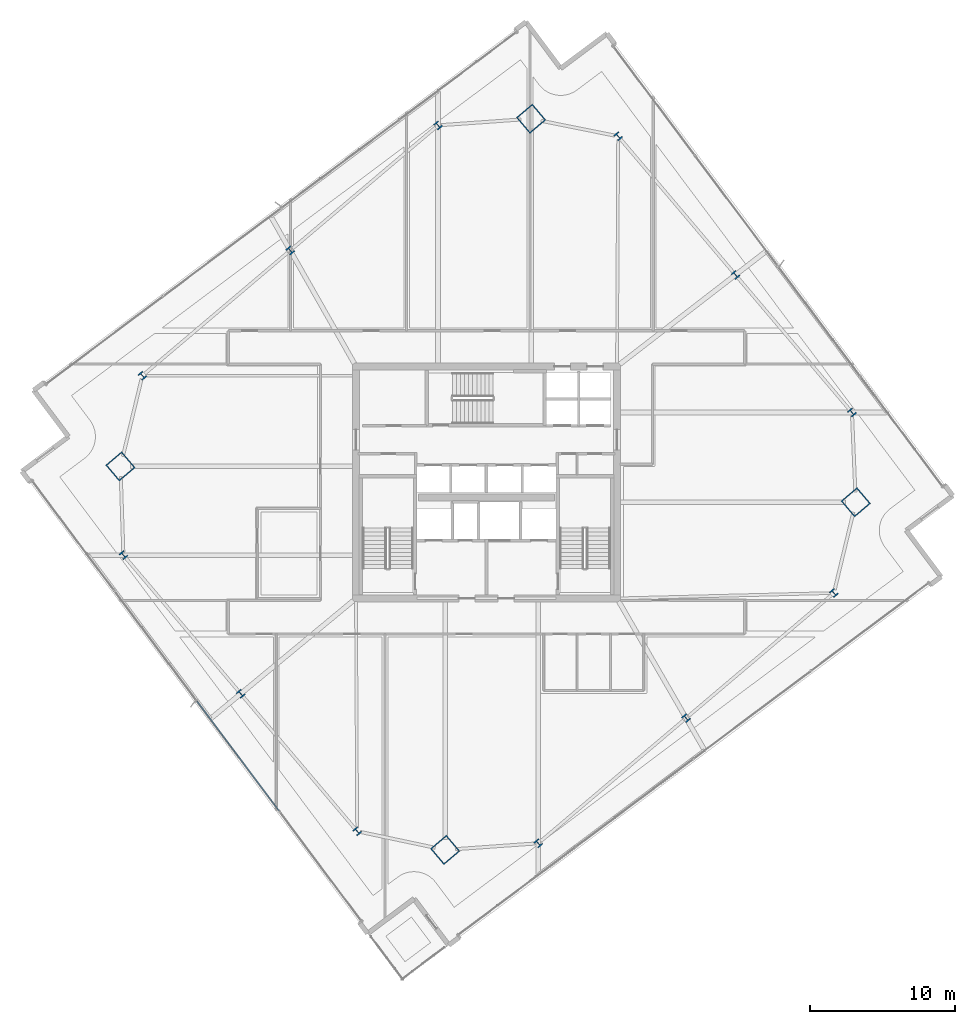
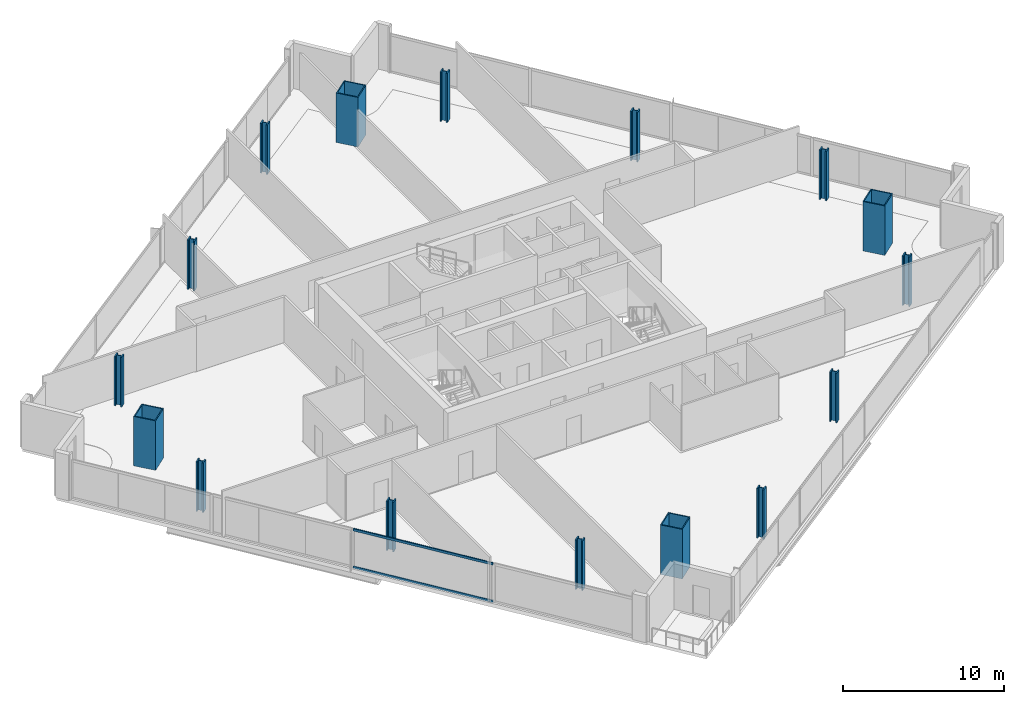
# One storey, part 1 of 32: 16 columns, 2 members, 1 element without a shape of its own.
"""IFC4 building model written with IfcOpenShell, lengths in metres."""

from ifc_helpers import new_model, si_unit, direction, frame, origin, origin_2d, place, context, subcontext, project, spatial, hollow_rectangle, i_section, extrude, material, material_profile, profile_set, type_object, element, aggregate, save


model = new_model("IFC4")

# Units and contexts
model_context = context("Model", 3, precision=1e-05, world=origin(), true_north=direction((0.0, 1.0)))
body_context = subcontext(model_context, "Body", "Model", "MODEL_VIEW")
ifc_project = project(units=[si_unit("LENGTHUNIT", "METRE"), si_unit("AREAUNIT", "SQUARE_METRE"), si_unit("VOLUMEUNIT", "CUBIC_METRE"), si_unit("PLANEANGLEUNIT", "RADIAN"), si_unit("MASSUNIT", "GRAM", prefix="KILO")], contexts=[model_context])

# Site, building, storey
site_placement = place(None, origin())
site = spatial("IfcSite", under=ifc_project, at=site_placement, CompositionType="ELEMENT")
building_placement = place(site_placement, origin())
building = spatial("IfcBuilding", under=site, at=building_placement, Name="Haldenkirk Collegiate Tower", CompositionType="ELEMENT")
storey_placement = place(building_placement, frame((0.0, 0.0, 151.949951171875)))
storey = spatial("IfcBuildingStorey", under=building, at=storey_placement, Name="L37", CompositionType="ELEMENT", Elevation=151.949951171875)

# Columns
ifc_material_1 = material(Name="Steel ASTM A913 Grade 65", Category="steel")
ifc_material_profile_1 = material_profile(ifc_material_1, i_section(OverallWidth=0.431884765625, OverallDepth=0.498046875, WebThickness=0.0556640625, FlangeThickness=0.0888671875, at=origin_2d()), Name="W14X500")
ifc_profile_set_1 = profile_set([ifc_material_profile_1], Name="Steel ASTM A913 Grade 65")
column_type_1 = type_object("IfcColumnType", Name="COL-INT-W14X500", PredefinedType="COLUMN", material=ifc_profile_set_1)
for number, where, z_axis, x_axis, name in (
    (1, (39.568603515625, 1.113525390625, 0.0), (0.0, 0.0, 1.0), (0.763232469783, 0.646123979643, 0.0), "L37 perimeter gravity column PC-S1"),
    (2, (49.762451171875, 9.7431640625, 0.0), (0.0, 0.0, 1.0), (0.763232469783, 0.646123979643, 0.0), "L37 perimeter gravity column PC-S2"),
    (3, (59.956298828125, 18.372802734375, 0.0), (0.0, 0.0, 1.0), (0.763232469783, 0.646123979643, 0.0), "L37 perimeter gravity column PC-S3"),
    (4, (61.199462890625, 30.82421875, 0.0), (0.0, 0.0, 1.0), (0.763232469783, 0.646123979643, 0.0), "L37 perimeter gravity column PC-E1"),
    (5, (53.17138671875, 40.307373046875, 0.0), (0.0, 0.0, 1.0), (0.763232469783, 0.646123979643, 0.0), "L37 perimeter gravity column PC-E2"),
    (6, (45.079833984375, 49.865234375, 0.0), (0.0, 0.0, 1.0), (0.763232469783, 0.646123979643, 0.0), "L37 perimeter gravity column PC-E3"),
    (7, (32.657470703125, 50.619384765625, 0.0), (0.0, 0.0, 1.0), (0.763232469783, 0.646123979643, 0.0), "L37 perimeter gravity column PC-N1"),
    (8, (22.463623046875, 41.98974609375, 0.0), (0.0, 0.0, 1.0), (0.763232469783, 0.646123979643, 0.0), "L37 perimeter gravity column PC-N2"),
    (9, (12.27001953125, 33.360107421875, 0.0), (0.0, 0.0, 1.0), (0.763232469783, 0.646123979643, 0.0), "L37 perimeter gravity column PC-N3"),
    (10, (10.96337890625, 20.9833984375, 0.0), (0.0, 0.0, 1.0), (0.763232469783, 0.646123979643, 0.0), "L37 perimeter gravity column PC-W1"),
    (11, (19.0546875, 11.425537109375, 0.0), (0.0, 0.0, 1.0), (0.763232469783, 0.646123979643, 0.0), "L37 perimeter gravity column PC-W2"),
    (12, (27.0830078125, 1.9423828125, 0.0), (0.0, 0.0, 1.0), (0.763232469783, 0.646123979643, 0.0), "L37 perimeter gravity column PC-W3"),
):
    element("IfcColumn", number, at=place(storey_placement, frame(where, z_axis=z_axis, x_axis=x_axis)), inside=storey, type_object=column_type_1, Name=name, PredefinedType="COLUMN", context=body_context, shape_type="SweptSolid", body=[
        extrude(i_section(OverallWidth=0.431884765625, OverallDepth=0.498046875, WebThickness=0.0556640625, FlangeThickness=0.0888671875, at=origin_2d()), origin(), (0.0, 0.0, 1.0), 3.75),
    ])
ifc_material_2 = material(Name="Steel ASTM A572 Grade 50", Category="steel")
ifc_material_profile_2 = material_profile(ifc_material_2, hollow_rectangle(XDim=1.449951171875, YDim=1.449951171875, WallThickness=0.070068359375, at=origin_2d()), Name="BOX1450X1450X70")
ifc_profile_set_2 = profile_set([ifc_material_profile_2], Name="Steel ASTM A572 Grade 50")
column_type_2 = type_object("IfcColumnType", Name="COL-MEGA-BOX1450X1450X70", PredefinedType="COLUMN", material=ifc_profile_set_2)
for number, where, z_axis, x_axis, name in (
    (13, (33.149169921875, 0.65771484375, 0.0), (0.0, 0.0, 1.0), (0.763232469783, 0.646123979643, 0.0), "L37 corner mega-column MC1"),
    (14, (61.465087890625, 24.62890625, 0.0), (0.0, 0.0, 1.0), (0.763232469783, 0.646123979643, 0.0), "L37 corner mega-column MC2"),
    (15, (39.076904296875, 51.074951171875, 0.0), (0.0, 0.0, 1.0), (0.763232469783, 0.646123979643, 0.0), "L37 corner mega-column MC3"),
    (16, (10.760986328125, 27.103759765625, 0.0), (0.0, 0.0, 1.0), (0.763232469783, 0.646123979643, 0.0), "L37 corner mega-column MC4"),
):
    element("IfcColumn", number, at=place(storey_placement, frame(where, z_axis=z_axis, x_axis=x_axis)), inside=storey, type_object=column_type_2, Name=name, PredefinedType="COLUMN", context=body_context, shape_type="SweptSolid", body=[
        extrude(hollow_rectangle(XDim=1.449951171875, YDim=1.449951171875, WallThickness=0.070068359375, at=origin_2d()), origin(), (0.0, 0.0, 1.0), 3.75),
    ])

# Curtain wall, members
ifc_material_3 = material(Name="Anodised architectural bronze aluminium", Category="aluminium")
curtain_wall_type = type_object("IfcCurtainWallType", Name="CW-SYS1-CONVEX-LOW", PredefinedType="USERDEFINED", material=ifc_material_3)
curtain_wall_placement = place(storey_placement, origin())
curtain_wall = element("IfcCurtainWall", 17, at=curtain_wall_placement, inside=storey, type_object=curtain_wall_type, Name="L37 Lower tower convex bronze-framed unitised curtain wall", ObjectType="UNITISED CURTAIN WALL", PredefinedType="USERDEFINED")
ifc_material_profile_3 = material_profile(ifc_material_3, hollow_rectangle(XDim=0.080078125, YDim=0.179931640625, WallThickness=0.0048828125, at=origin_2d()), Name="CW-TRN-1A")
ifc_profile_set_3 = profile_set([ifc_material_profile_3], Name="Anodised architectural bronze aluminium")
member_type = type_object("IfcMemberType", Name="CW-TRN-1A", PredefinedType="USERDEFINED", material=ifc_profile_set_3)
member_1_placement = place(storey_placement, frame((21.6923828125, 3.357421875, 0.0400390625), z_axis=(-0.599020923025, 0.800733372465, 0.0), x_axis=(-0.800733372465, -0.599020923025, 0.0)))
member_1 = element("IfcMember", 18, at=member_1_placement, type_object=member_type, Name="CW-1A transom 2.1", ObjectType="TRANSOM", PredefinedType="USERDEFINED", context=body_context, shape_type="SweptSolid", body=[
    extrude(hollow_rectangle(XDim=0.080078125, YDim=0.179931640625, WallThickness=0.0048828125, at=origin_2d()), origin(), (0.0, 0.0, 1.0), 9.420166015625),
])
member_2_placement = place(storey_placement, frame((21.6923828125, 3.357421875, 2.87109375), z_axis=(-0.599020923025, 0.800733372465, 0.0), x_axis=(-0.800733372465, -0.599020923025, 0.0)))
member_2 = element("IfcMember", 19, at=member_2_placement, type_object=member_type, Name="CW-1A transom 2.2", ObjectType="TRANSOM", PredefinedType="USERDEFINED", context=body_context, shape_type="SweptSolid", body=[
    extrude(hollow_rectangle(XDim=0.080078125, YDim=0.179931640625, WallThickness=0.0048828125, at=origin_2d()), origin(), (0.0, 0.0, 1.0), 9.420166015625),
])
aggregate(curtain_wall, [member_1, member_2])

save(model, "model.ifc")
